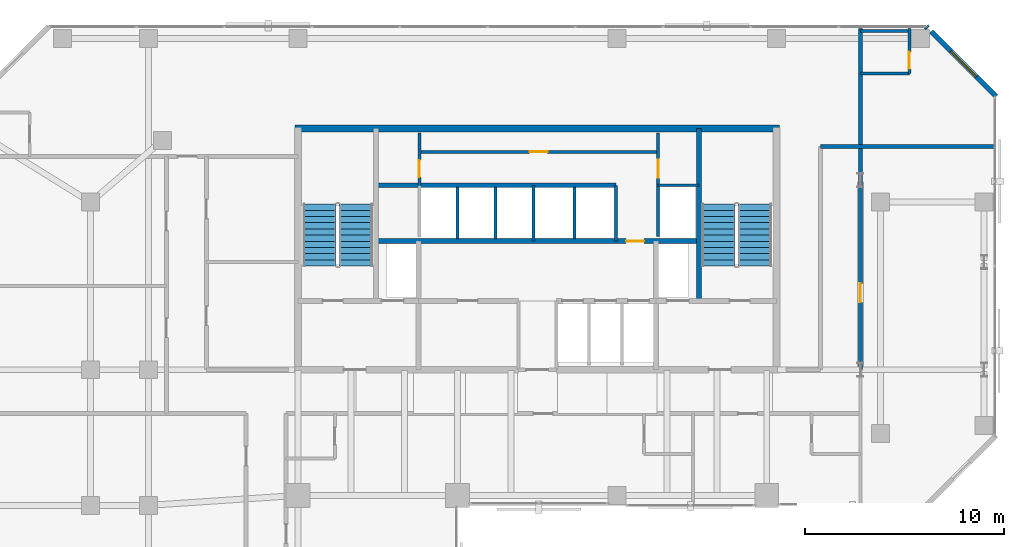
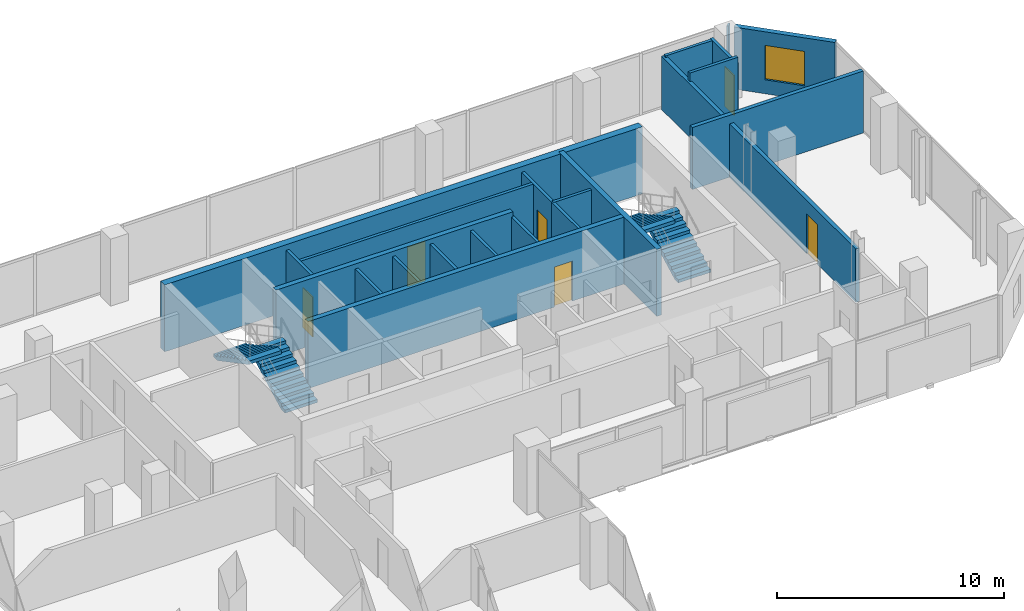
# One storey, part 30 of 33: 21 walls, 6 doors, 4 stair flights, 1 window, 7 openings, 2 elements without a shape of their own.
"""IFC4 building model written with IfcOpenShell, lengths in metres."""

from ifc_helpers import new_model, si_unit, direction, frame, frame_2d, origin, place, context, subcontext, project, spatial, polyline, rectangle, outline, extrude, material, layer, layer_set, type_object, element, fill, aggregate, save


model = new_model("IFC4")

# Units and contexts
model_context = context("Model", 3, precision=1e-05, world=origin(), true_north=direction((0.0, 1.0)))
body_context = subcontext(model_context, "Body", "Model", "MODEL_VIEW")
ifc_project = project(units=[si_unit("LENGTHUNIT", "METRE"), si_unit("AREAUNIT", "SQUARE_METRE"), si_unit("VOLUMEUNIT", "CUBIC_METRE"), si_unit("PLANEANGLEUNIT", "RADIAN"), si_unit("MASSUNIT", "GRAM", prefix="KILO")], contexts=[model_context])

# Site, building, storey
site_placement = place(None, origin())
site = spatial("IfcSite", under=ifc_project, at=site_placement, CompositionType="ELEMENT")
building_placement = place(site_placement, origin())
building = spatial("IfcBuilding", under=site, at=building_placement, Name="Catumbela Crestline Tower", CompositionType="ELEMENT")
storey_placement = place(building_placement, frame((0.0, 0.0, 108.0)))
storey = spatial("IfcBuildingStorey", under=building, at=storey_placement, Name="L27", CompositionType="ELEMENT", Elevation=108.0)

# Wall
ifc_material_1 = material(Name="Concrete C50/60", Category="concrete")
ifc_layer_1 = layer(ifc_material_1, 0.25, Name="Concrete C50/60")
ifc_layer_set_1 = layer_set([ifc_layer_1], Name="Concrete C50/60")
wall_type_1 = type_object("IfcWallType", Name="CW-250D", PredefinedType="SHEAR", material=ifc_layer_set_1)
wall_1_placement = place(storey_placement, frame((36.1, 34.25, 0.0), z_axis=(0.0, 0.0, 1.0), x_axis=(0.0, 1.0, 0.0)))
element("IfcWall", 1, at=wall_1_placement, inside=storey, type_object=wall_type_1, Name="L27 Structural Core Shear Wall EWEB", PredefinedType="SHEAR", context=body_context, shape_type="SweptSolid", body=[
    extrude(rectangle(XDim=8.65, YDim=0.25, at=frame_2d((4.325, 0.0))), origin(), (0.0, 0.0, 1.0), 3.6),
])

# Wall, opening, door
wall_2_placement = place(storey_placement, frame((19.9, 37.25, 0.0), z_axis=(0.0, 0.0, 1.0), x_axis=(1.0, 0.0, 0.0)))
wall_2 = element("IfcWall", 2, at=wall_2_placement, inside=storey, type_object=wall_type_1, Name="L27 Structural Core Shear Wall LIFTN", PredefinedType="SHEAR", context=body_context, shape_type="SweptSolid", body=[
    extrude(rectangle(XDim=16.2, YDim=0.25, at=frame_2d((8.1, 0.0))), origin(), (0.0, 0.0, 1.0), 3.6),
])
opening_1_placement = place(wall_2_placement, frame((12.55, 0.0, 0.0)))
opening_1 = element("IfcOpeningElement", 3, at=opening_1_placement, cuts=wall_2, Name="Opening DF9-090", PredefinedType="OPENING", context=body_context, shape_type="SweptSolid", body=[
    extrude(rectangle(XDim=0.9, YDim=2.15, at=frame_2d((0.45, 1.075))), frame((0.0, 0.135, 0.0), z_axis=(0.0, -1.0, 0.0), x_axis=(1.0, 0.0, 0.0)), (0.0, 0.0, 1.0), 0.27),
])
ifc_material_2 = material(Name="Stainless steel EN 1.4401", Category="steel")
door_type_1 = type_object("IfcDoorType", Name="DF9-090", OperationType="NOTDEFINED", PredefinedType="DOOR", material=ifc_material_2)
door_1_placement = place(opening_1_placement, origin())
door_1 = element("IfcDoor", 4, at=door_1_placement, inside=storey, type_object=door_type_1, Name="L27 Interior Door DR-L27-CPAS1", OperationType="SINGLE_SWING_LEFT", OverallHeight=2.15, OverallWidth=0.9, PredefinedType="DOOR", context=body_context, shape_type="SweptSolid", body=[
    extrude(rectangle(XDim=0.9, YDim=2.15, at=frame_2d((0.45, 1.075))), frame((0.0, 0.025, 0.0), z_axis=(0.0, -1.0, 0.0), x_axis=(1.0, 0.0, 0.0)), (0.0, 0.0, 1.0), 0.05),
])
fill(opening_1, door_1)

# Walls
wall_3_placement = place(storey_placement, frame((19.9, 40.05, 0.0), z_axis=(0.0, 0.0, 1.0), x_axis=(1.0, 0.0, 0.0)))
element("IfcWall", 5, at=wall_3_placement, inside=storey, type_object=wall_type_1, Name="L27 Structural Core Shear Wall COREN", PredefinedType="SHEAR", context=body_context, shape_type="SweptSolid", body=[
    extrude(rectangle(XDim=12.05, YDim=0.25, at=frame_2d((6.025, 0.0))), origin(), (0.0, 0.0, 1.0), 3.6),
])
ifc_layer_2 = layer(ifc_material_1, 0.35, Name="Concrete C50/60")
ifc_layer_set_2 = layer_set([ifc_layer_2], Name="Concrete C50/60")
wall_type_2 = type_object("IfcWallType", Name="CW-350B", PredefinedType="SHEAR", material=ifc_layer_set_2)
wall_4_placement = place(storey_placement, frame((15.85, 42.9, 0.0), z_axis=(0.0, 0.0, 1.0), x_axis=(1.0, 0.0, 0.0)))
element("IfcWall", 6, at=wall_4_placement, inside=storey, type_object=wall_type_2, Name="L27 Structural Core Shear Wall N", PredefinedType="SHEAR", context=body_context, shape_type="SweptSolid", body=[
    extrude(rectangle(XDim=24.3, YDim=0.35, at=frame_2d((12.15, 0.0))), origin(), (0.0, 0.0, 1.0), 3.6),
])
ifc_material_3 = material(Name="Acoustic gypsum and mineral-wool partition")
ifc_layer_3 = layer(ifc_material_3, 0.2, Name="Acoustic gypsum and mineral-wool partition")
ifc_layer_set_3 = layer_set([ifc_layer_3], Name="Acoustic gypsum and mineral-wool partition")
wall_type_3 = type_object("IfcWallType", Name="WC-200", PredefinedType="PARTITIONING", material=ifc_layer_set_3)
wall_5_placement = place(storey_placement, frame((42.2, 42.0, 0.0), z_axis=(0.0, 0.0, 1.0), x_axis=(1.0, 0.0, 0.0)))
element("IfcWall", 7, at=wall_5_placement, inside=storey, type_object=wall_type_3, Name="L27 Interior Partition PW-L27-Z2CW-E3", PredefinedType="PARTITIONING", context=body_context, shape_type="SweptSolid", body=[
    extrude(rectangle(XDim=8.7, YDim=0.2, at=frame_2d((4.35, 0.0))), origin(), (0.0, 0.0, 1.0), 3.33),
])

# Wall, opening, door
wall_6_placement = place(storey_placement, frame((44.2, 30.8, 0.0), z_axis=(0.0, 0.0, 1.0), x_axis=(0.0, 1.0, 0.0)))
wall_6 = element("IfcWall", 8, at=wall_6_placement, inside=storey, type_object=wall_type_3, Name="L27 Interior Partition PW-L27-SE1-ENT", PredefinedType="PARTITIONING", context=body_context, shape_type="SweptSolid", body=[
    extrude(rectangle(XDim=17.1, YDim=0.2, at=frame_2d((8.55, 0.0))), origin(), (0.0, 0.0, 1.0), 2.87),
])
opening_2_placement = place(wall_6_placement, frame((3.3825, 0.0, 0.0)))
opening_2 = element("IfcOpeningElement", 9, at=opening_2_placement, cuts=wall_6, Name="Opening DF6-095", PredefinedType="OPENING", context=body_context, shape_type="SweptSolid", body=[
    extrude(rectangle(XDim=0.95, YDim=2.15, at=frame_2d((0.475, 1.075))), frame((0.0, 0.11, 0.0), z_axis=(0.0, -1.0, 0.0), x_axis=(1.0, 0.0, 0.0)), (0.0, 0.0, 1.0), 0.22),
])
ifc_material_4 = material(Name="Aluminium alloy AW-6060-T66", Category="aluminium")
door_type_2 = type_object("IfcDoorType", Name="DF6-095", OperationType="NOTDEFINED", PredefinedType="DOOR", material=ifc_material_4)
door_2_placement = place(opening_2_placement, origin())
door_2 = element("IfcDoor", 10, at=door_2_placement, inside=storey, type_object=door_type_2, Name="L27 Interior Door DR-L27-SE1-ENT", OperationType="SINGLE_SWING_RIGHT", OverallHeight=2.15, OverallWidth=0.95, PredefinedType="DOOR", context=body_context, shape_type="SweptSolid", body=[
    extrude(rectangle(XDim=0.95, YDim=2.15, at=frame_2d((0.475, 1.075))), frame((0.0, 0.025, 0.0), z_axis=(0.0, -1.0, 0.0), x_axis=(1.0, 0.0, 0.0)), (0.0, 0.0, 1.0), 0.05),
])
fill(opening_2, door_2)

# Wall, opening, window
ifc_material_5 = material(Name="Angolan grey-ochre granite", Category="masonry")
ifc_layer_4 = layer(ifc_material_5, 0.25, Name="Angolan grey-ochre granite")
ifc_layer_set_4 = layer_set([ifc_layer_4], Name="Angolan grey-ochre granite")
wall_type_4 = type_object("IfcWallType", Name="WE-250", PredefinedType="STANDARD", material=ifc_layer_set_4)
wall_7_placement = place(storey_placement, frame((51.0, 44.5, 0.0), z_axis=(0.0, 0.0, 1.0), x_axis=(-0.707106781187, 0.707106781187, 0.0)))
wall_7 = element("IfcWall", 11, at=wall_7_placement, inside=storey, type_object=wall_type_4, Name="L27 Granite Punched Window Wall 6-1", PredefinedType="STANDARD", context=body_context, shape_type="SweptSolid", body=[
    extrude(rectangle(XDim=4.6126, YDim=0.25, at=frame_2d((2.3063, 0.0))), origin(), (0.0, 0.0, 1.0), 3.33),
])
opening_3_placement = place(wall_7_placement, frame((1.4063, 0.0, 0.75)))
opening_3 = element("IfcOpeningElement", 12, at=opening_3_placement, cuts=wall_7, Name="Opening WN-01", PredefinedType="OPENING", context=body_context, shape_type="SweptSolid", body=[
    extrude(rectangle(XDim=1.8, YDim=1.85, at=frame_2d((0.9, 0.925))), frame((0.0, 0.135, 0.0), z_axis=(0.0, -1.0, 0.0), x_axis=(1.0, 0.0, 0.0)), (0.0, 0.0, 1.0), 0.27),
])
ifc_material_6 = material(Name="Low-E laminated solar-control double glazing", Category="glass")
window_type = type_object("IfcWindowType", Name="WF-1800", PartitioningType="SINGLE_PANEL", PredefinedType="WINDOW", material=ifc_material_6)
window_placement = place(opening_3_placement, origin())
window = element("IfcWindow", 13, at=window_placement, inside=storey, type_object=window_type, Name="L27 Facade Vision Window 157", OverallHeight=1.85, OverallWidth=1.8, PartitioningType="SINGLE_PANEL", PredefinedType="WINDOW", context=body_context, shape_type="SweptSolid", body=[
    extrude(rectangle(XDim=1.8, YDim=1.85, at=frame_2d((0.9, 0.925))), frame((0.0, 0.03, 0.0), z_axis=(0.0, -1.0, 0.0), x_axis=(1.0, 0.0, 0.0)), (0.0, 0.0, 1.0), 0.06),
])
fill(opening_3, window)

# Walls
wall_8_placement = place(storey_placement, frame((47.5616, 47.9384, 0.0), z_axis=(0.0, 0.0, 1.0), x_axis=(-0.707106781187, 0.707106781187, 0.0)))
element("IfcWall", 14, at=wall_8_placement, inside=storey, type_object=wall_type_4, Name="L27 Granite Punched Window Wall 6-2", PredefinedType="STANDARD", context=body_context, shape_type="SweptSolid", body=[
    extrude(rectangle(XDim=0.0871, YDim=0.25, at=frame_2d((0.0436, 0.0))), origin(), (0.0, 0.0, 1.0), 3.33),
])
ifc_layer_5 = layer(ifc_material_3, 0.15, Name="Acoustic gypsum and mineral-wool partition")
ifc_layer_set_5 = layer_set([ifc_layer_5], Name="Acoustic gypsum and mineral-wool partition")
wall_type_5 = type_object("IfcWallType", Name="WP-150", PredefinedType="PARTITIONING", material=ifc_layer_set_5)
wall_9_placement = place(storey_placement, frame((34.05, 40.05, 0.0), z_axis=(0.0, 0.0, 1.0), x_axis=(1.0, 0.0, 0.0)))
element("IfcWall", 15, at=wall_9_placement, inside=storey, type_object=wall_type_5, Name="L27 Interior Partition PW-L27-CR-ES", PredefinedType="PARTITIONING", context=body_context, shape_type="SweptSolid", body=[
    extrude(rectangle(XDim=2.05, YDim=0.15, at=frame_2d((1.025, 0.0))), origin(), (0.0, 0.0, 1.0), 3.33),
])

# Wall, opening, door
wall_10_placement = place(storey_placement, frame((34.05, 40.05, 0.0), z_axis=(0.0, 0.0, 1.0), x_axis=(0.0, 1.0, 0.0)))
wall_10 = element("IfcWall", 16, at=wall_10_placement, inside=storey, type_object=wall_type_5, Name="L27 Interior Partition PW-L27-CR-EW", PredefinedType="PARTITIONING", context=body_context, shape_type="SweptSolid", body=[
    extrude(rectangle(XDim=2.63, YDim=0.15, at=frame_2d((1.315, 0.0))), origin(), (0.0, 0.0, 1.0), 3.33),
])
opening_4_placement = place(wall_10_placement, frame((0.385, 0.0, 0.0)))
opening_4 = element("IfcOpeningElement", 17, at=opening_4_placement, cuts=wall_10, Name="Opening DF9-090", PredefinedType="OPENING", context=body_context, shape_type="SweptSolid", body=[
    extrude(rectangle(XDim=0.9, YDim=2.15, at=frame_2d((0.45, 1.075))), frame((0.0, 0.085, 0.0), z_axis=(0.0, -1.0, 0.0), x_axis=(1.0, 0.0, 0.0)), (0.0, 0.0, 1.0), 0.17),
])
door_3_placement = place(opening_4_placement, origin())
door_3 = element("IfcDoor", 18, at=door_3_placement, inside=storey, type_object=door_type_1, Name="L27 Interior Door DR-L27-CREAST", OperationType="SINGLE_SWING_RIGHT", OverallHeight=2.15, OverallWidth=0.9, PredefinedType="DOOR", context=body_context, shape_type="SweptSolid", body=[
    extrude(rectangle(XDim=0.9, YDim=2.15, at=frame_2d((0.45, 1.075))), frame((0.0, 0.025, 0.0), z_axis=(0.0, -1.0, 0.0), x_axis=(1.0, 0.0, 0.0)), (0.0, 0.0, 1.0), 0.05),
])
fill(opening_4, door_3)

wall_11_placement = place(storey_placement, frame((22.08, 40.05, 0.0), z_axis=(0.0, 0.0, 1.0), x_axis=(0.0, 1.0, 0.0)))
wall_11 = element("IfcWall", 19, at=wall_11_placement, inside=storey, type_object=wall_type_5, Name="L27 Interior Partition PW-L27-CR-WCW", PredefinedType="PARTITIONING", context=body_context, shape_type="SweptSolid", body=[
    extrude(rectangle(XDim=2.63, YDim=0.15, at=frame_2d((1.315, 0.0))), origin(), (0.0, 0.0, 1.0), 3.33),
])
opening_5_placement = place(wall_11_placement, frame((0.41, 0.0, 0.0)))
opening_5 = element("IfcOpeningElement", 20, at=opening_5_placement, cuts=wall_11, Name="Opening DI-085", PredefinedType="OPENING", context=body_context, shape_type="SweptSolid", body=[
    extrude(rectangle(XDim=0.85, YDim=2.15, at=frame_2d((0.425, 1.075))), frame((0.0, 0.085, 0.0), z_axis=(0.0, -1.0, 0.0), x_axis=(1.0, 0.0, 0.0)), (0.0, 0.0, 1.0), 0.17),
])
door_type_3 = type_object("IfcDoorType", Name="DI-085", OperationType="NOTDEFINED", PredefinedType="DOOR", material=ifc_material_4)
door_4_placement = place(opening_5_placement, origin())
door_4 = element("IfcDoor", 21, at=door_4_placement, inside=storey, type_object=door_type_3, Name="L27 Interior Door DR-L27-CRWC", OperationType="SINGLE_SWING_LEFT", OverallHeight=2.15, OverallWidth=0.85, PredefinedType="DOOR", context=body_context, shape_type="SweptSolid", body=[
    extrude(rectangle(XDim=0.85, YDim=2.15, at=frame_2d((0.425, 1.075))), frame((0.0, 0.025, 0.0), z_axis=(0.0, -1.0, 0.0), x_axis=(1.0, 0.0, 0.0)), (0.0, 0.0, 1.0), 0.05),
])
fill(opening_5, door_4)

wall_12_placement = place(storey_placement, frame((22.08, 41.72, 0.0), z_axis=(0.0, 0.0, 1.0), x_axis=(1.0, 0.0, 0.0)))
wall_12 = element("IfcWall", 22, at=wall_12_placement, inside=storey, type_object=wall_type_5, Name="L27 Interior Partition PW-L27-CR-MID", PredefinedType="PARTITIONING", context=body_context, shape_type="SweptSolid", body=[
    extrude(rectangle(XDim=11.97, YDim=0.15, at=frame_2d((5.985, 0.0))), origin(), (0.0, 0.0, 1.0), 3.33),
])
opening_6_placement = place(wall_12_placement, frame((5.535, 0.0, 0.0)))
opening_6 = element("IfcOpeningElement", 23, at=opening_6_placement, cuts=wall_12, Name="Opening DF9-090", PredefinedType="OPENING", context=body_context, shape_type="SweptSolid", body=[
    extrude(rectangle(XDim=0.9, YDim=2.15, at=frame_2d((0.45, 1.075))), frame((0.0, 0.085, 0.0), z_axis=(0.0, -1.0, 0.0), x_axis=(1.0, 0.0, 0.0)), (0.0, 0.0, 1.0), 0.17),
])
door_5_placement = place(opening_6_placement, origin())
door_5 = element("IfcDoor", 24, at=door_5_placement, inside=storey, type_object=door_type_1, Name="L27 Interior Door DR-L27-CRMID", OperationType="SINGLE_SWING_LEFT", OverallHeight=2.15, OverallWidth=0.9, PredefinedType="DOOR", context=body_context, shape_type="SweptSolid", body=[
    extrude(rectangle(XDim=0.9, YDim=2.15, at=frame_2d((0.45, 1.075))), frame((0.0, 0.025, 0.0), z_axis=(0.0, -1.0, 0.0), x_axis=(1.0, 0.0, 0.0)), (0.0, 0.0, 1.0), 0.05),
])
fill(opening_6, door_5)

# Wall
wall_13_placement = place(storey_placement, frame((44.2, 45.65, 0.0), z_axis=(0.0, 0.0, 1.0), x_axis=(1.0, 0.0, 0.0)))
element("IfcWall", 25, at=wall_13_placement, inside=storey, type_object=wall_type_5, Name="L27 Interior Partition PW-L27-SE1-BSW", PredefinedType="PARTITIONING", context=body_context, shape_type="SweptSolid", body=[
    extrude(rectangle(XDim=2.45, YDim=0.15, at=frame_2d((1.225, 0.0))), origin(), (0.0, 0.0, 1.0), 3.33),
])

# Wall, opening, door
wall_14_placement = place(storey_placement, frame((46.65, 45.65, 0.0), z_axis=(0.0, 0.0, 1.0), x_axis=(0.0, 1.0, 0.0)))
wall_14 = element("IfcWall", 26, at=wall_14_placement, inside=storey, type_object=wall_type_5, Name="L27 Interior Partition PW-L27-SE1-BEW", PredefinedType="PARTITIONING", context=body_context, shape_type="SweptSolid", body=[
    extrude(rectangle(XDim=2.25, YDim=0.15, at=frame_2d((1.125, 0.0))), origin(), (0.0, 0.0, 1.0), 2.96),
])
opening_7_placement = place(wall_14_placement, frame((0.24, 0.0, 0.0)))
opening_7 = element("IfcOpeningElement", 27, at=opening_7_placement, cuts=wall_14, Name="Opening DI-085", PredefinedType="OPENING", context=body_context, shape_type="SweptSolid", body=[
    extrude(rectangle(XDim=0.85, YDim=2.15, at=frame_2d((0.425, 1.075))), frame((0.0, 0.085, 0.0), z_axis=(0.0, -1.0, 0.0), x_axis=(1.0, 0.0, 0.0)), (0.0, 0.0, 1.0), 0.17),
])
door_6_placement = place(opening_7_placement, origin())
door_6 = element("IfcDoor", 28, at=door_6_placement, inside=storey, type_object=door_type_3, Name="L27 Interior Door DR-L27-SE1-BTH", OperationType="SINGLE_SWING_LEFT", OverallHeight=2.15, OverallWidth=0.85, PredefinedType="DOOR", context=body_context, shape_type="SweptSolid", body=[
    extrude(rectangle(XDim=0.85, YDim=2.15, at=frame_2d((0.425, 1.075))), frame((0.0, 0.025, 0.0), z_axis=(0.0, -1.0, 0.0), x_axis=(1.0, 0.0, 0.0)), (0.0, 0.0, 1.0), 0.05),
])
fill(opening_7, door_6)

# Walls
wall_15_placement = place(storey_placement, frame((44.2, 47.78, 0.0), z_axis=(0.0, 0.0, 1.0), x_axis=(1.0, 0.0, 0.0)))
element("IfcWall", 29, at=wall_15_placement, inside=storey, type_object=wall_type_5, Name="L27 Interior Partition PW-L27-SE1-BCL-2", PredefinedType="PARTITIONING", context=body_context, shape_type="SweptSolid", body=[
    extrude(rectangle(XDim=2.45, YDim=0.15, at=frame_2d((1.225, 0.0))), origin(), (0.0, 0.0, 1.0), 2.96),
])
ifc_layer_6 = layer(ifc_material_3, 0.15, Name="Acoustic gypsum and mineral-wool partition")
ifc_layer_set_6 = layer_set([ifc_layer_6], Name="Acoustic gypsum and mineral-wool partition")
wall_type_6 = type_object("IfcWallType", Name="WS-150", PredefinedType="PLUMBINGWALL", material=ifc_layer_set_6)
wall_16_placement = place(storey_placement, frame((27.8, 37.25, 0.0), z_axis=(0.0, 0.0, 1.0), x_axis=(0.0, 1.0, 0.0)))
element("IfcWall", 30, at=wall_16_placement, inside=storey, type_object=wall_type_6, Name="L27 Interior Partition PW-L27-SHH3", PredefinedType="PLUMBINGWALL", context=body_context, shape_type="SweptSolid", body=[
    extrude(rectangle(XDim=2.8, YDim=0.15, at=frame_2d((1.4, 0.0))), origin(), (0.0, 0.0, 1.0), 3.33),
])
for number, where, z_axis, x_axis, name in (
    (31, (24.0, 37.35, 0.0), (0.0, 0.0, 1.0), (0.0, 1.0, 0.0), "L27 Interior Partition PW-L27-SHH1"),
    (32, (25.9, 37.35, 0.0), (0.0, 0.0, 1.0), (0.0, 1.0, 0.0), "L27 Interior Partition PW-L27-SHH2"),
):
    element("IfcWall", number, at=place(storey_placement, frame(where, z_axis=z_axis, x_axis=x_axis)), inside=storey, type_object=wall_type_6, Name=name, PredefinedType="PLUMBINGWALL", context=body_context, shape_type="SweptSolid", body=[
        extrude(rectangle(XDim=2.6, YDim=0.15, at=frame_2d((1.3, 0.0))), origin(), (0.0, 0.0, 1.0), 3.33),
    ])
wall_17_placement = place(storey_placement, frame((31.95, 37.25, 0.0), z_axis=(0.0, 0.0, 1.0), x_axis=(0.0, 1.0, 0.0)))
element("IfcWall", 33, at=wall_17_placement, inside=storey, type_object=wall_type_6, Name="L27 Interior Partition PW-L27-SHEX2E", PredefinedType="PLUMBINGWALL", context=body_context, shape_type="SweptSolid", body=[
    extrude(rectangle(XDim=2.8, YDim=0.15, at=frame_2d((1.4, 0.0))), origin(), (0.0, 0.0, 1.0), 3.33),
])
wall_18_placement = place(storey_placement, frame((29.85, 37.35, 0.0), z_axis=(0.0, 0.0, 1.0), x_axis=(0.0, 1.0, 0.0)))
element("IfcWall", 34, at=wall_18_placement, inside=storey, type_object=wall_type_6, Name="L27 Interior Partition PW-L27-SHEX1", PredefinedType="PLUMBINGWALL", context=body_context, shape_type="SweptSolid", body=[
    extrude(rectangle(XDim=2.6, YDim=0.15, at=frame_2d((1.3, 0.0))), origin(), (0.0, 0.0, 1.0), 3.33),
])
wall_19_placement = place(storey_placement, frame((34.05, 37.4734, 0.0), z_axis=(0.0, 0.0, 1.0), x_axis=(0.0, 1.0, 0.0)))
element("IfcWall", 35, at=wall_19_placement, inside=storey, type_object=wall_type_6, Name="L27 Interior Partition PW-L27-RISW", PredefinedType="PLUMBINGWALL", context=body_context, shape_type="SweptSolid", body=[
    extrude(rectangle(XDim=2.5766, YDim=0.15, at=frame_2d((1.2883, 0.0))), origin(), (0.0, 0.0, 1.0), 3.33),
])

# Stair, stair flights
ifc_material_7 = material(Name="Concrete C45/55", Category="concrete")
stair_type = type_object("IfcStairType", Name="ST-DLG", PredefinedType="HALF_TURN_STAIR", material=ifc_material_7)
stair_1_placement = place(storey_placement, origin())
stair_1 = element("IfcStair", 36, at=stair_1_placement, inside=storey, type_object=stair_type, Name="L27 West Core Pressurised Exit Stair ST-01", PredefinedType="HALF_TURN_STAIR")
stair_flight_type = type_object("IfcStairFlightType", Name="SF-1636", PredefinedType="STRAIGHT", material=ifc_material_7)
stair_flight_1_placement = place(storey_placement, frame((18.92, 36.0, 0.0), z_axis=(0.0, 0.0, 1.0), x_axis=(0.0, 1.0, 0.0)))
stair_flight_1 = element("IfcStairFlight", 37, at=stair_flight_1_placement, type_object=stair_flight_type, Name="ST-01 flight 1", NumberOfRisers=11, NumberOfTreads=10, PredefinedType="STRAIGHT", RiserHeight=0.163636364, TreadLength=0.31, context=body_context, shape_type="SweptSolid", body=[
    extrude(outline(polyline([(0.0, 0.0), (0.0, 0.1636), (0.31, 0.1636), (0.31, 0.3273), (0.62, 0.3273), (0.62, 0.4909), (0.93, 0.4909), (0.93, 0.6545), (1.24, 0.6545), (1.24, 0.8182), (1.55, 0.8182), (1.55, 0.9818), (1.86, 0.9818), (1.86, 1.1455), (2.17, 1.1455), (2.17, 1.3091), (2.48, 1.3091), (2.48, 1.4727), (2.79, 1.4727), (2.79, 1.6364), (3.1, 1.6364), (3.1, 1.8), (3.1, 1.4554), (0.3427, 0.0), (0.0, 0.0)])), frame((0.0, 0.83, 0.0), z_axis=(0.0, -1.0, 0.0), x_axis=(1.0, 0.0, 0.0)), (0.0, 0.0, 1.0), 1.66),
])
stair_flight_2_placement = place(storey_placement, frame((17.08, 39.1, 1.8), z_axis=(0.0, 0.0, 1.0), x_axis=(0.0, -1.0, 0.0)))
stair_flight_2 = element("IfcStairFlight", 38, at=stair_flight_2_placement, type_object=stair_flight_type, Name="ST-01 flight 2", NumberOfRisers=11, NumberOfTreads=10, PredefinedType="STRAIGHT", RiserHeight=0.163636364, TreadLength=0.31, context=body_context, shape_type="SweptSolid", body=[
    extrude(outline(polyline([(0.0, 0.0), (0.0, 0.1636), (0.31, 0.1636), (0.31, 0.3273), (0.62, 0.3273), (0.62, 0.4909), (0.93, 0.4909), (0.93, 0.6545), (1.24, 0.6545), (1.24, 0.8182), (1.55, 0.8182), (1.55, 0.9818), (1.86, 0.9818), (1.86, 1.1455), (2.17, 1.1455), (2.17, 1.3091), (2.48, 1.3091), (2.48, 1.4727), (2.79, 1.4727), (2.79, 1.6364), (3.1, 1.6364), (3.1, 1.8), (3.1, 1.4554), (0.3427, 0.0), (0.0, 0.0)])), frame((0.0, 0.83, 0.0), z_axis=(0.0, -1.0, 0.0), x_axis=(1.0, 0.0, 0.0)), (0.0, 0.0, 1.0), 1.66),
])
aggregate(stair_1, [stair_flight_1, stair_flight_2])

stair_2_placement = place(storey_placement, origin())
stair_2 = element("IfcStair", 39, at=stair_2_placement, inside=storey, type_object=stair_type, Name="L27 East Core Pressurised Exit Stair ST-02", PredefinedType="HALF_TURN_STAIR")
stair_flight_3_placement = place(storey_placement, frame((38.92, 36.0, 0.0), z_axis=(0.0, 0.0, 1.0), x_axis=(0.0, 1.0, 0.0)))
stair_flight_3 = element("IfcStairFlight", 40, at=stair_flight_3_placement, type_object=stair_flight_type, Name="ST-02 flight 1", NumberOfRisers=11, NumberOfTreads=10, PredefinedType="STRAIGHT", RiserHeight=0.163636364, TreadLength=0.31, context=body_context, shape_type="SweptSolid", body=[
    extrude(outline(polyline([(0.0, 0.0), (0.0, 0.1636), (0.31, 0.1636), (0.31, 0.3273), (0.62, 0.3273), (0.62, 0.4909), (0.93, 0.4909), (0.93, 0.6545), (1.24, 0.6545), (1.24, 0.8182), (1.55, 0.8182), (1.55, 0.9818), (1.86, 0.9818), (1.86, 1.1455), (2.17, 1.1455), (2.17, 1.3091), (2.48, 1.3091), (2.48, 1.4727), (2.79, 1.4727), (2.79, 1.6364), (3.1, 1.6364), (3.1, 1.8), (3.1, 1.4554), (0.3427, 0.0), (0.0, 0.0)])), frame((0.0, 0.83, 0.0), z_axis=(0.0, -1.0, 0.0), x_axis=(1.0, 0.0, 0.0)), (0.0, 0.0, 1.0), 1.66),
])
stair_flight_4_placement = place(storey_placement, frame((37.08, 39.1, 1.8), z_axis=(0.0, 0.0, 1.0), x_axis=(0.0, -1.0, 0.0)))
stair_flight_4 = element("IfcStairFlight", 41, at=stair_flight_4_placement, type_object=stair_flight_type, Name="ST-02 flight 2", NumberOfRisers=11, NumberOfTreads=10, PredefinedType="STRAIGHT", RiserHeight=0.163636364, TreadLength=0.31, context=body_context, shape_type="SweptSolid", body=[
    extrude(outline(polyline([(0.0, 0.0), (0.0, 0.1636), (0.31, 0.1636), (0.31, 0.3273), (0.62, 0.3273), (0.62, 0.4909), (0.93, 0.4909), (0.93, 0.6545), (1.24, 0.6545), (1.24, 0.8182), (1.55, 0.8182), (1.55, 0.9818), (1.86, 0.9818), (1.86, 1.1455), (2.17, 1.1455), (2.17, 1.3091), (2.48, 1.3091), (2.48, 1.4727), (2.79, 1.4727), (2.79, 1.6364), (3.1, 1.6364), (3.1, 1.8), (3.1, 1.4554), (0.3427, 0.0), (0.0, 0.0)])), frame((0.0, 0.83, 0.0), z_axis=(0.0, -1.0, 0.0), x_axis=(1.0, 0.0, 0.0)), (0.0, 0.0, 1.0), 1.66),
])
aggregate(stair_2, [stair_flight_3, stair_flight_4])

save(model, "model.ifc")
